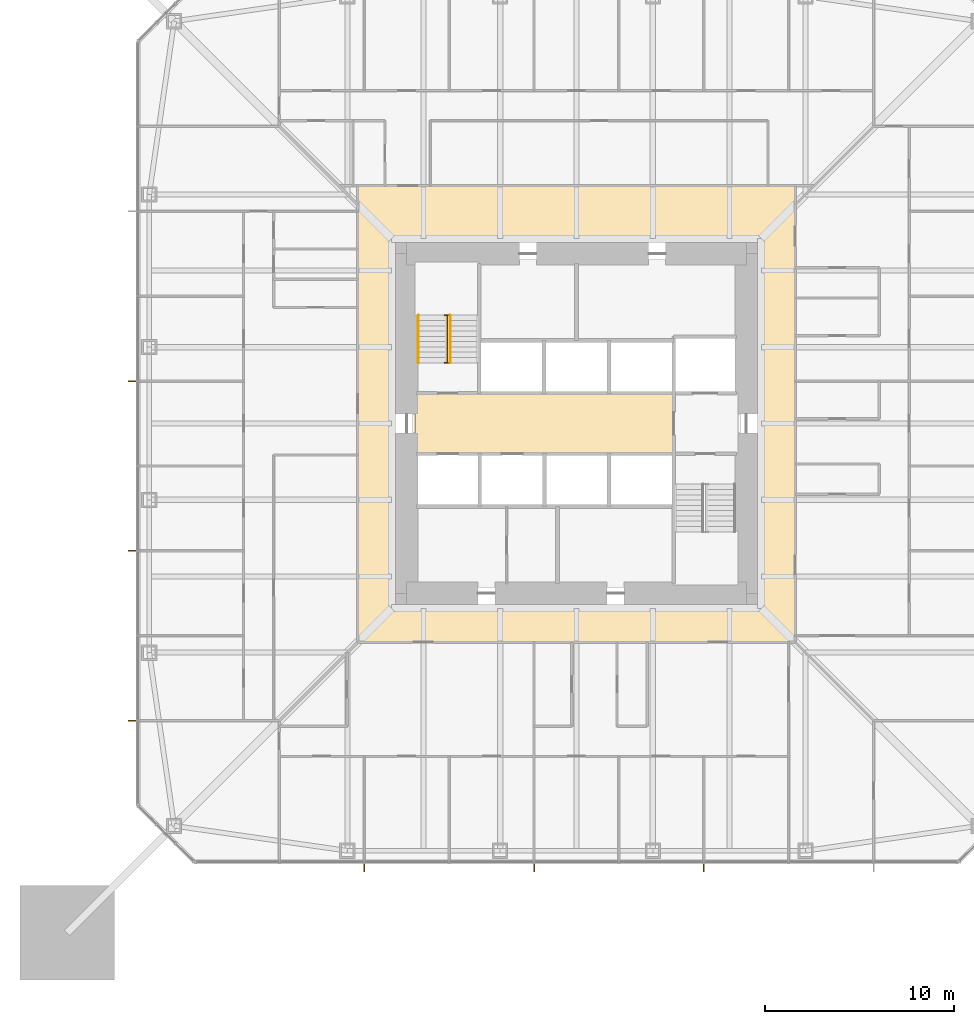
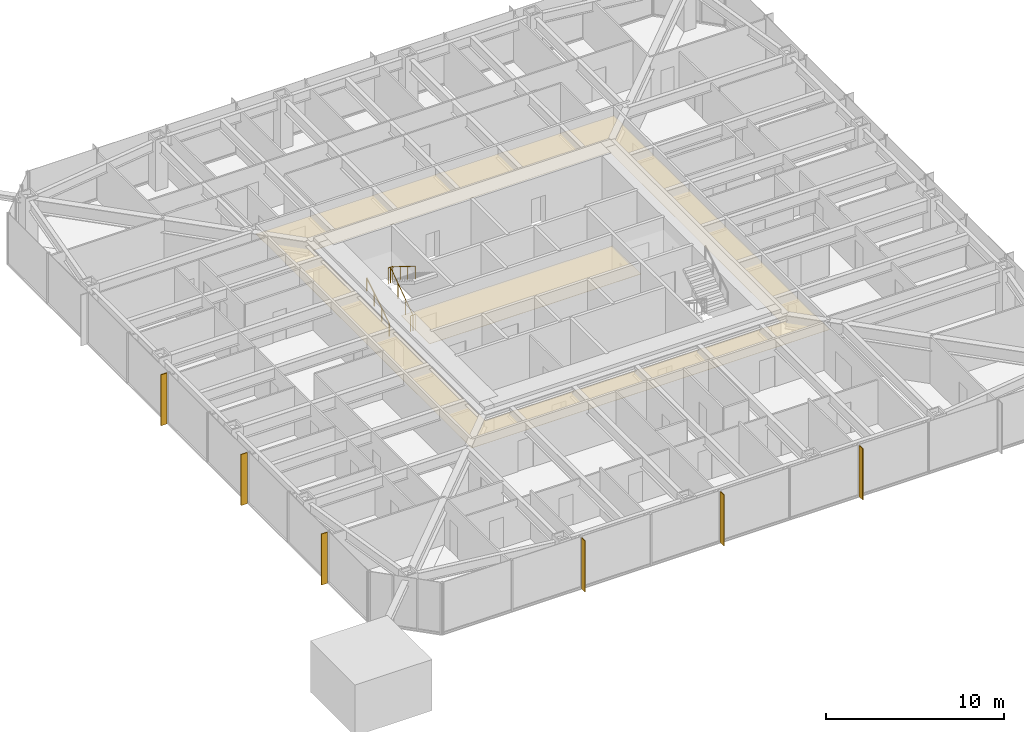
# One storey, part 23 of 26: 6 shading devices, 3 railings, 2 coverings.
"""IFC4 building model written with IfcOpenShell, lengths in metres."""

from ifc_helpers import new_model, si_unit, direction, frame, origin, origin_2d, place, context, subcontext, project, spatial, polyline, rectangle, circle, outline, extrude, material, layer, layer_set, constituent, constituent_set, type_object, element, save


model = new_model("IFC4")

# Units and contexts
model_context = context("Model", 3, precision=1e-05, world=origin(), true_north=direction((0.0, 1.0)))
body_context = subcontext(model_context, "Body", "Model", "MODEL_VIEW")
ifc_project = project(units=[si_unit("LENGTHUNIT", "METRE"), si_unit("AREAUNIT", "SQUARE_METRE"), si_unit("VOLUMEUNIT", "CUBIC_METRE"), si_unit("PLANEANGLEUNIT", "RADIAN"), si_unit("MASSUNIT", "GRAM", prefix="KILO")], contexts=[model_context])

# Site, building, storey
site_placement = place(None, origin())
site = spatial("IfcSite", under=ifc_project, at=site_placement, CompositionType="ELEMENT")
building_placement = place(site_placement, origin())
building = spatial("IfcBuilding", under=site, at=building_placement, Name="Iwan Alto Co-Living Towers", CompositionType="ELEMENT")
storey_placement = place(building_placement, frame((0.0, 0.0, 36.0)))
storey = spatial("IfcBuildingStorey", under=building, at=storey_placement, Name="L09", CompositionType="ELEMENT", Elevation=36.0)

# Covering
ifc_material_1 = material(Name="Mineral fibre acoustic tiles on steel grid", Category="steel")
ifc_layer_1 = layer(ifc_material_1, 0.02001953125)
ifc_layer_set_1 = layer_set([ifc_layer_1], Name="ACOUSTIC TILE CEILING 20")
covering_type_1 = type_object("IfcCoveringType", Name="ACOUSTIC TILE CEILING 20", PredefinedType="CEILING", material=ifc_layer_set_1)
covering_1_placement = place(storey_placement, frame((0.0, 0.0, 2.60009765625)))
element("IfcCovering", 1, at=covering_1_placement, inside=storey, type_object=covering_type_1, Name="Ceiling Lift lobby L09", PredefinedType="CEILING", context=body_context, shape_type="SweptSolid", body=[
    extrude(outline(polyline([(-8.550048828125, -1.60009765625), (-8.550048828125, 1.60009765625), (5.14990234375, 1.60009765625), (5.14990234375, -1.60009765625), (-8.550048828125, -1.60009765625)])), origin(), (0.0, 0.0, 1.0), 0.02001953125),
])

# Shading devices
ifc_material_2 = material(Name="Aluminium 6063-T6 bronze anodised", Category="aluminium")
ifc_layer_2 = layer(ifc_material_2, 0.050048828125)
ifc_layer_set_2 = layer_set([ifc_layer_2], Name="BRONZE FIN 50X400")
shading_device_type = type_object("IfcShadingDeviceType", Name="BRONZE FIN 50X400", PredefinedType="USERDEFINED", material=ifc_layer_set_2)
for number, where, z_axis, x_axis, name in (
    (2, (-11.25, -23.550048828125, 0.0), (0.0, 0.0, 1.0), (1.0, 0.0, 0.0), "Bronze fin L09"),
    (3, (-2.25, -23.550048828125, 0.0), (0.0, 0.0, 1.0), (1.0, 0.0, 0.0), "Bronze fin L09"),
    (4, (6.75, -23.550048828125, 0.0), (0.0, 0.0, 1.0), (1.0, 0.0, 0.0), "Bronze fin L09"),
    (5, (-23.550048828125, 2.25, 0.0), (0.0, 0.0, 1.0), (0.0, -1.0, 0.0), "Bronze fin L09"),
    (6, (-23.550048828125, -6.75, 0.0), (0.0, 0.0, 1.0), (0.0, -1.0, 0.0), "Bronze fin L09"),
    (7, (-23.550048828125, -15.75, 0.0), (0.0, 0.0, 1.0), (0.0, -1.0, 0.0), "Bronze fin L09"),
):
    element("IfcShadingDevice", number, at=place(storey_placement, frame(where, z_axis=z_axis, x_axis=x_axis)), inside=storey, type_object=shading_device_type, Name=name, ObjectType="LOUVER", PredefinedType="USERDEFINED", context=body_context, shape_type="SweptSolid", body=[
        extrude(rectangle(XDim=0.050048828125, YDim=0.39990234375, at=origin_2d()), origin(), (0.0, 0.0, 1.0), 3.5),
    ])

# Railings
ifc_material_3 = material(Name="Steel ASTM A500 Gr C", Category="steel")
ifc_constituent_1 = constituent(ifc_material_3, Name="Rails and posts", Category="Framing")
ifc_material_4 = material(Name="Steel ASTM A36", Category="steel")
ifc_constituent_2 = constituent(ifc_material_4, Name="Bar infill", Category="Infill")
ifc_constituent_set = constituent_set(constituents=[ifc_constituent_1, ifc_constituent_2], Name="STAIR GUARD 1100")
railing_type_1 = type_object("IfcRailingType", Name="STAIR GUARD 1100", PredefinedType="GUARDRAIL", material=ifc_constituent_set)
railing_1_placement = place(storey_placement, frame((-6.85009765625, 3.219970703125, 0.0)))
element("IfcRailing", 8, at=railing_1_placement, inside=storey, type_object=railing_type_1, Name="Stair T1-S1 well guard L09", PredefinedType="GUARDRAIL", context=body_context, shape_type="SweptSolid", body=[
    extrude(circle(Radius=0.02392578125, at=origin_2d()), frame((0.0, 0.0, 1.076171875), z_axis=(0.0, 0.821372036852, 0.570392826987), x_axis=(-1.0, 0.0, 0.0)), (0.0, 0.0, 1.0), 3.068115234375),
    extrude(circle(Radius=0.02392578125, at=origin_2d()), frame((-0.14990234375, 0.0, 1.076171875), z_axis=(1.0, 0.0, 0.0), x_axis=(0.0, 1.0, 0.0)), (0.0, 0.0, 1.0), 0.300048828125),
    extrude(circle(Radius=0.02392578125, at=origin_2d()), frame((-0.14990234375, 2.52001953125, 2.826171875), z_axis=(1.0, 0.0, 0.0), x_axis=(0.0, 1.0, 0.0)), (0.0, 0.0, 1.0), 0.300048828125),
    extrude(circle(Radius=0.02099609375, at=origin_2d()), origin(), (0.0, 0.0, 1.0), 1.052001953125),
    extrude(circle(Radius=0.02099609375, at=origin_2d()), frame((0.0, 0.840087890625, 0.583251953125)), (0.0, 0.0, 1.0), 1.052001953125),
    extrude(circle(Radius=0.02099609375, at=origin_2d()), frame((0.0, 1.679931640625, 1.166748046875)), (0.0, 0.0, 1.0), 1.052001953125),
    extrude(circle(Radius=0.02099609375, at=origin_2d()), frame((0.0, 2.52001953125, 1.75)), (0.0, 0.0, 1.0), 1.052001953125),
    extrude(circle(Radius=0.02099609375, at=origin_2d()), frame((-0.14990234375, 0.0, 0.0)), (0.0, 0.0, 1.0), 1.052001953125),
    extrude(circle(Radius=0.02099609375, at=origin_2d()), frame((0.150146484375, 0.0, 0.0)), (0.0, 0.0, 1.0), 1.052001953125),
    extrude(circle(Radius=0.02099609375, at=origin_2d()), frame((-0.14990234375, 2.52001953125, 1.75)), (0.0, 0.0, 1.0), 1.052001953125),
    extrude(circle(Radius=0.02099609375, at=origin_2d()), frame((0.150146484375, 2.52001953125, 1.75)), (0.0, 0.0, 1.0), 1.052001953125),
])
ifc_material_5 = material(Name="Steel ASTM A500 Gr C", Category="steel")
railing_type_2 = type_object("IfcRailingType", Name="STAIR HANDRAIL 900", PredefinedType="HANDRAIL", material=ifc_material_5)
railing_2_placement = place(storey_placement, frame((-8.3798828125, 3.219970703125, 0.175048828125)))
element("IfcRailing", 9, at=railing_2_placement, inside=storey, type_object=railing_type_2, Name="Stair T1-S1 handrail 1 L09", PredefinedType="HANDRAIL", context=body_context, shape_type="SweptSolid", body=[
    extrude(circle(Radius=0.02392578125, at=origin_2d()), frame((0.0, 0.0, 0.8759765625), z_axis=(0.0, 0.848007534815, 0.529984170421), x_axis=(-1.0, 0.0, 0.0)), (0.0, 0.0, 1.0), 2.9716796875),
    extrude(circle(Radius=0.02099609375, at=origin_2d()), origin(), (0.0, 0.0, 1.0), 0.851806640625),
    extrude(circle(Radius=0.02099609375, at=origin_2d()), frame((0.0, 0.840087890625, 0.52490234375)), (0.0, 0.0, 1.0), 0.851806640625),
    extrude(circle(Radius=0.02099609375, at=origin_2d()), frame((0.0, 1.679931640625, 1.050048828125)), (0.0, 0.0, 1.0), 0.851806640625),
    extrude(circle(Radius=0.02099609375, at=origin_2d()), frame((0.0, 2.52001953125, 1.574951171875)), (0.0, 0.0, 1.0), 0.851806640625),
])
railing_3_placement = place(storey_placement, frame((-6.699951171875, 5.739990234375, 1.925048828125)))
element("IfcRailing", 10, at=railing_3_placement, inside=storey, type_object=railing_type_2, Name="Stair T1-S1 handrail 2 L09", PredefinedType="HANDRAIL", context=body_context, shape_type="SweptSolid", body=[
    extrude(circle(Radius=0.02392578125, at=origin_2d()), frame((0.0, 0.0, 0.8759765625), z_axis=(0.0, -0.848007534815, 0.529984170421), x_axis=(1.0, 0.0, 0.0)), (0.0, 0.0, 1.0), 2.9716796875),
    extrude(circle(Radius=0.02099609375, at=origin_2d()), origin(), (0.0, 0.0, 1.0), 0.851806640625),
    extrude(circle(Radius=0.02099609375, at=origin_2d()), frame((0.0, -0.840087890625, 0.52490234375)), (0.0, 0.0, 1.0), 0.851806640625),
    extrude(circle(Radius=0.02099609375, at=origin_2d()), frame((0.0, -1.679931640625, 1.050048828125)), (0.0, 0.0, 1.0), 0.851806640625),
    extrude(circle(Radius=0.02099609375, at=origin_2d()), frame((0.0, -2.52001953125, 1.574951171875)), (0.0, 0.0, 1.0), 0.851806640625),
])

# Covering
ifc_material_6 = material(Name="Gypsum plasterboard on steel grid", Category="steel")
ifc_layer_3 = layer(ifc_material_6, 0.014892578125)
ifc_layer_set_3 = layer_set([ifc_layer_3], Name="SUSPENDED PLASTERBOARD CEILING 15")
covering_type_2 = type_object("IfcCoveringType", Name="SUSPENDED PLASTERBOARD CEILING 15", PredefinedType="CEILING", material=ifc_layer_set_3)
covering_2_placement = place(storey_placement, frame((0.0, 0.0, 2.60009765625)))
element("IfcCovering", 11, at=covering_2_placement, inside=storey, type_object=covering_type_2, Name="Ceiling Corridor L09", PredefinedType="CEILING", context=body_context, shape_type="SweptSolid", body=[
    extrude(outline(polyline([(-11.60009765625, 12.60009765625), (11.60009765625, 12.60009765625), (11.60009765625, -11.60009765625), (-11.60009765625, -11.60009765625), (-11.60009765625, 12.60009765625)]), holes=[polyline([(-9.60009765625, 9.60009765625), (-9.60009765625, -9.60009765625), (9.60009765625, -9.60009765625), (9.60009765625, 9.60009765625), (-9.60009765625, 9.60009765625)])]), origin(), (0.0, 0.0, 1.0), 0.014892578125),
])

save(model, "model.ifc")
